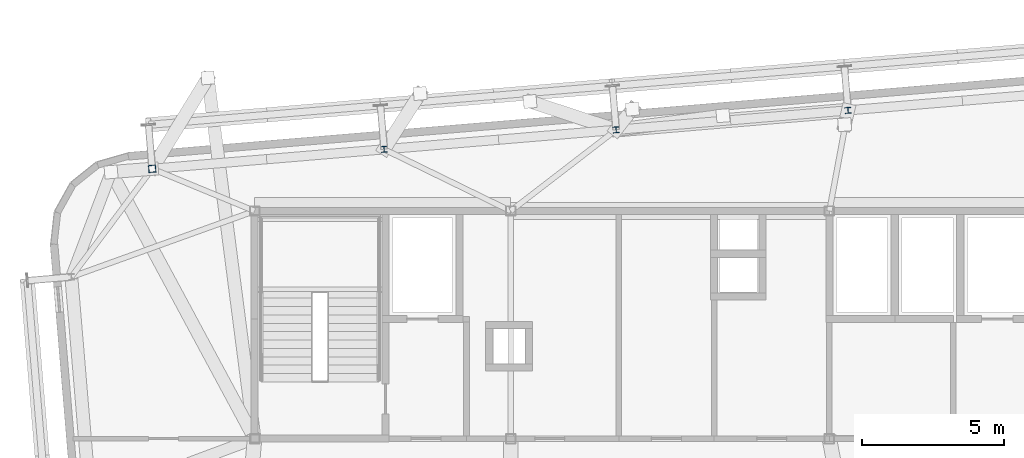
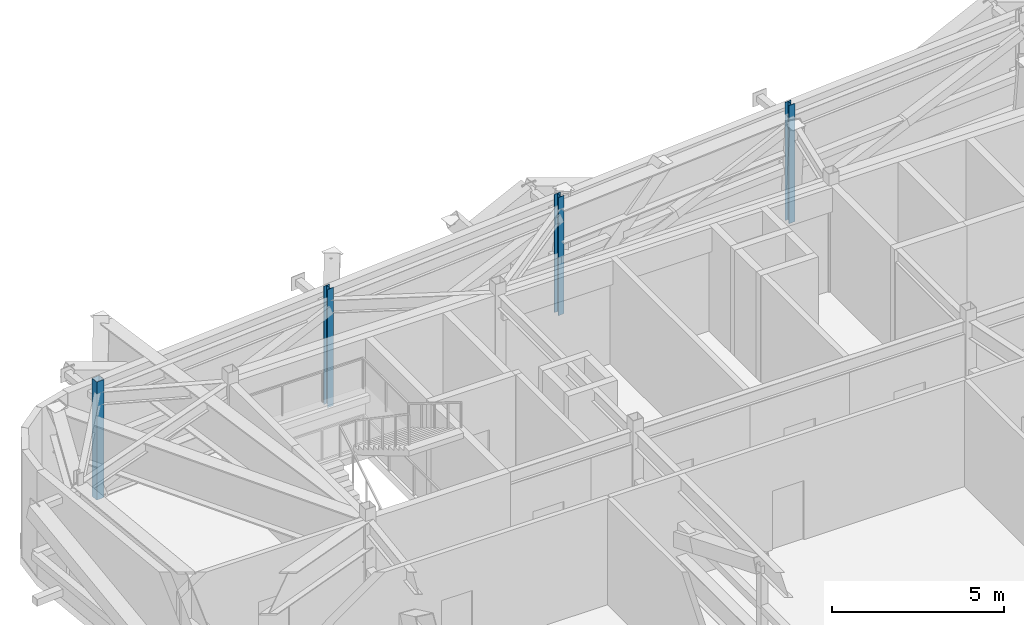
# One storey, part 5 of 26: 4 columns.
"""IFC4 building model written with IfcOpenShell, lengths in metres."""

from ifc_helpers import new_model, si_unit, direction, frame, origin, origin_2d, place, context, subcontext, project, spatial, hollow_rectangle, i_section, extrude, source, transform, mapped, material, material_profile, profile_set, type_object, element, save


model = new_model("IFC4")

# Units and contexts
model_context = context("Model", 3, precision=1e-05, world=origin(), true_north=direction((0.0, 1.0)))
body_context = subcontext(model_context, "Body", "Model", "MODEL_VIEW")
ifc_project = project(units=[si_unit("LENGTHUNIT", "METRE"), si_unit("AREAUNIT", "SQUARE_METRE"), si_unit("VOLUMEUNIT", "CUBIC_METRE"), si_unit("PLANEANGLEUNIT", "RADIAN"), si_unit("MASSUNIT", "GRAM", prefix="KILO")], contexts=[model_context])

# Site, building, storey
site_placement = place(None, origin())
site = spatial("IfcSite", under=ifc_project, at=site_placement, CompositionType="ELEMENT")
building_placement = place(site_placement, origin())
building = spatial("IfcBuilding", under=site, at=building_placement, Name="Taldren Reach Tower", CompositionType="ELEMENT")
storey_placement = place(building_placement, frame((0.0, 0.0, 207.199951171875)))
storey = spatial("IfcBuildingStorey", under=building, at=storey_placement, Name="L63", CompositionType="ELEMENT", Elevation=207.199951171875)

# Columns
ifc_material_1 = material(Name="Steel Gr 350 (C350L0)", Category="steel")
ifc_material_profile_1 = material_profile(ifc_material_1, hollow_rectangle(XDim=0.25, YDim=0.25, WallThickness=0.010009765625, at=origin_2d()), Name="250x250x10.0SHS")
ifc_profile_set_1 = profile_set([ifc_material_profile_1], Name="Steel Gr 350 (C350L0)")
column_type_1 = type_object("IfcColumnType", Name="COL-SHS250", PredefinedType="COLUMN", material=ifc_profile_set_1)
shared_shape_1 = source(origin(), body_context, "Body", "SweptSolid", [
    extrude(hollow_rectangle(XDim=0.25, YDim=0.25, WallThickness=0.010009765625, at=origin_2d()), origin(), (0.0, 0.0, 1.0), 4.199951171875),
])
column_placement = place(storey_placement, frame((15.40380859375, 33.483642578125, 0.0), z_axis=(0.0, 0.0, 1.0), x_axis=(0.99649285925, 0.083677843332, 0.0)))
element("IfcColumn", 1, at=column_placement, inside=storey, type_object=column_type_1, Name="Block B4 perimeter column N1 L63", PredefinedType="COLUMN", context=body_context, shape_type="MappedRepresentation", body=[
    mapped(shared_shape_1, transform((0.0, 0.0, 0.0), scale=1.0)),
])
ifc_material_2 = material(Name="Steel Gr 350 (350PLUS)", Category="steel")
ifc_material_profile_2 = material_profile(ifc_material_2, i_section(OverallWidth=0.205078125, OverallDepth=0.2099609375, WebThickness=0.00927734375, FlangeThickness=0.01416015625, at=origin_2d()), Name="200UC59.5")
ifc_profile_set_2 = profile_set([ifc_material_profile_2], Name="Steel Gr 350 (350PLUS)")
column_type_2 = type_object("IfcColumnType", Name="COL-UC200", PredefinedType="COLUMN", material=ifc_profile_set_2)
shared_shape_2 = source(origin(), body_context, "Body", "SweptSolid", [
    extrude(i_section(OverallWidth=0.205078125, OverallDepth=0.2099609375, WebThickness=0.00927734375, FlangeThickness=0.01416015625, at=origin_2d()), origin(), (0.0, 0.0, 1.0), 4.199951171875),
])
for number, where, z_axis, x_axis, name in (
    (2, (23.55517578125, 34.16796875, 0.0), (0.0, 0.0, 1.0), (0.99649285925, 0.083677843332, 0.0), "Block B4 perimeter column N2 L63"),
    (3, (31.706298828125, 34.8525390625, 0.0), (0.0, 0.0, 1.0), (0.99649285925, 0.083677843332, 0.0), "Block B4 perimeter column N3 L63"),
    (4, (39.857666015625, 35.537109375, 0.0), (0.0, 0.0, 1.0), (0.99649285925, 0.083677843332, 0.0), "Block B4 perimeter column N4 L63"),
):
    element("IfcColumn", number, at=place(storey_placement, frame(where, z_axis=z_axis, x_axis=x_axis)), inside=storey, type_object=column_type_2, Name=name, PredefinedType="COLUMN", context=body_context, shape_type="MappedRepresentation", body=[
        mapped(shared_shape_2, transform((0.0, 0.0, 0.0), scale=1.0)),
    ])

save(model, "model.ifc")
